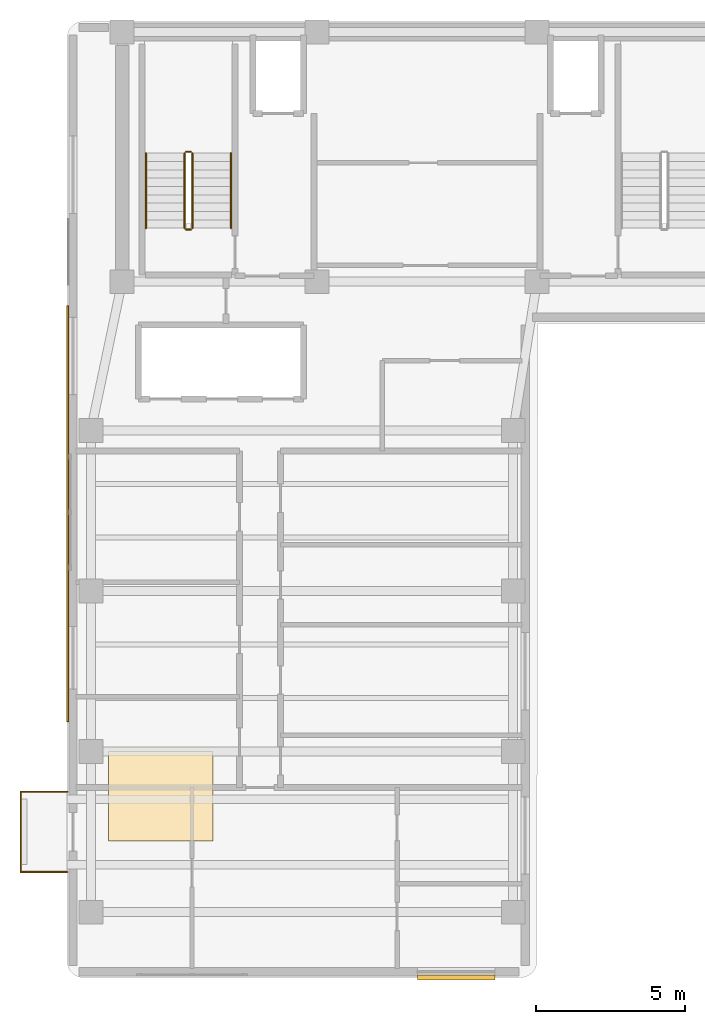
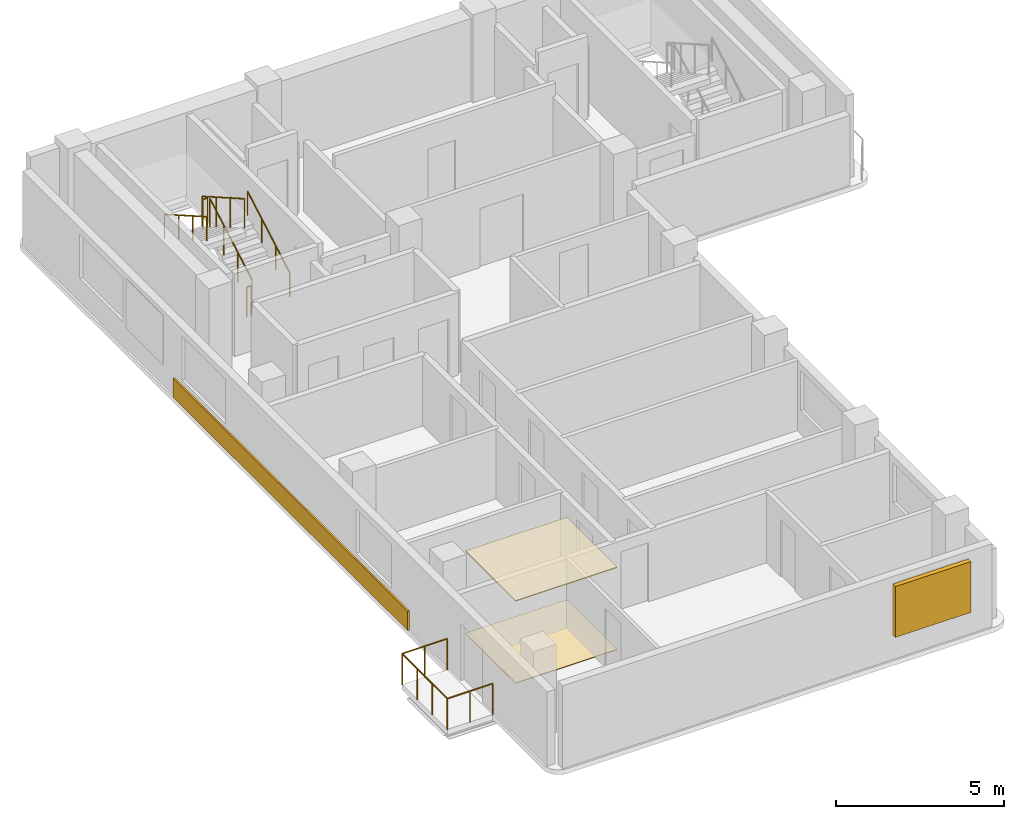
# One storey, part 10 of 11: 9 railings, 3 coverings, 1 shading device.
"""IFC4 building model written with IfcOpenShell, lengths in metres."""

from ifc_helpers import new_model, si_unit, direction, frame, origin, origin_2d, place, context, subcontext, project, spatial, polyline, rectangle, circle, outline, extrude, material, layer, layer_set, type_object, element, save


model = new_model("IFC4")

# Units and contexts
model_context = context("Model", 3, precision=1e-05, world=origin(), true_north=direction((0.0, 1.0)))
body_context = subcontext(model_context, "Body", "Model", "MODEL_VIEW")
ifc_project = project(units=[si_unit("LENGTHUNIT", "METRE"), si_unit("AREAUNIT", "SQUARE_METRE"), si_unit("VOLUMEUNIT", "CUBIC_METRE"), si_unit("PLANEANGLEUNIT", "RADIAN"), si_unit("MASSUNIT", "GRAM", prefix="KILO")], contexts=[model_context])

# Site, building, storey
site_placement = place(None, origin())
site = spatial("IfcSite", under=ifc_project, at=site_placement, CompositionType="ELEMENT")
building_placement = place(site_placement, origin())
building = spatial("IfcBuilding", under=site, at=building_placement, Name="Kuzgunbayir Cultural Tower", CompositionType="ELEMENT")
storey_placement = place(building_placement, frame((0.0, 0.0, 234.39990234375)))
storey = spatial("IfcBuildingStorey", under=building, at=storey_placement, Name="L69", CompositionType="ELEMENT", Elevation=234.39990234375)

# Coverings
ifc_material_1 = material(Name="Perforated Gypsum Acoustic Tile", Category="gypsum")
ifc_layer_1 = layer(ifc_material_1, 0.02490234375)
ifc_layer_set_1 = layer_set([ifc_layer_1], Name="Perforated Gypsum Acoustic Tile")
covering_type_1 = type_object("IfcCoveringType", Name="COV-CEIL-ACOUSTIC", PredefinedType="CEILING", material=ifc_layer_set_1)
covering_1_placement = place(storey_placement, frame((0.0, 0.0, 2.989990234375)))
element("IfcCovering", 1, at=covering_1_placement, inside=storey, type_object=covering_type_1, Name="L69 Acoustic Soffit Ceiling", PredefinedType="CEILING", context=body_context, shape_type="SweptSolid", body=[
    extrude(outline(polyline([(6.0, 15.0), (9.5, 15.0), (9.5, 18.0), (6.0, 18.0), (6.0, 15.0)])), origin(), (0.0, 0.0, 1.0), 0.030029296875),
])
ifc_material_2 = material(Name="Anatolian Cream Limestone", Category="masonry")
ifc_layer_2 = layer(ifc_material_2, 0.06005859375)
ifc_layer_set_2 = layer_set([ifc_layer_2], Name="Anatolian Cream Limestone")
covering_type_2 = type_object("IfcCoveringType", Name="COV-CLAD-LIMESTONE-6", PredefinedType="CLADDING", material=ifc_layer_set_2)
covering_2_placement = place(storey_placement, frame((4.6201171875, 26.0, 0.0), z_axis=(0.0, 0.0, 1.0), x_axis=(1.0, 0.0, 0.0)))
element("IfcCovering", 2, at=covering_2_placement, inside=storey, type_object=covering_type_2, Name="L69 Architectural Spandrel Cladding Band", PredefinedType="CLADDING", context=body_context, shape_type="SweptSolid", body=[
    extrude(rectangle(XDim=0.06005859375, YDim=14.0, at=origin_2d()), origin(), (0.0, 0.0, 1.0), 0.699951171875),
])
ifc_material_3 = material(Name="Engineered Anatolian Oak Parquet", Category="wood")
ifc_layer_3 = layer(ifc_material_3, 0.02197265625)
ifc_layer_set_3 = layer_set([ifc_layer_3], Name="Engineered Anatolian Oak Parquet")
covering_type_3 = type_object("IfcCoveringType", Name="COV-FLOOR-OAK", PredefinedType="FLOORING", material=ifc_layer_set_3)
covering_3_placement = place(storey_placement, origin())
element("IfcCovering", 3, at=covering_3_placement, inside=storey, type_object=covering_type_3, Name="L69 Acoustic Floor Finish", PredefinedType="FLOORING", context=body_context, shape_type="SweptSolid", body=[
    extrude(outline(polyline([(6.0, 15.0), (9.5, 15.0), (9.5, 18.0), (6.0, 18.0), (6.0, 15.0)])), origin(), (0.0, 0.0, 1.0), 0.02001953125),
])

# Railings
ifc_material_4 = material(Name="Laminated Glass and Stainless Steel", Category="steel")
ifc_layer_4 = layer(ifc_material_4, 0.080078125)
ifc_layer_set_4 = layer_set([ifc_layer_4], Name="Laminated Glass and Stainless Steel")
railing_type_1 = type_object("IfcRailingType", Name="RLG-BAL-115", PredefinedType="BALUSTRADE", material=ifc_layer_set_4)
railing_1_placement = place(storey_placement, frame((4.60009765625, 13.949951171875, 0.0)))
element("IfcRailing", 4, at=railing_1_placement, inside=storey, type_object=railing_type_1, Name="L69 Balcony Guard BAL-L69-WA1 Segment 1", PredefinedType="BALUSTRADE", context=body_context, shape_type="SweptSolid", body=[
    extrude(circle(Radius=0.02392578125, at=origin_2d()), frame((0.0, 0.0, 1.1259765625), z_axis=(-1.0, 0.0, 0.0), x_axis=(0.0, -1.0, 0.0)), (0.0, 0.0, 1.0), 1.56005859375),
    extrude(circle(Radius=0.02099609375, at=origin_2d()), origin(), (0.0, 0.0, 1.0), 1.101806640625),
    extrude(circle(Radius=0.02099609375, at=origin_2d()), frame((-0.780029296875, 0.0, 0.0)), (0.0, 0.0, 1.0), 1.101806640625),
    extrude(circle(Radius=0.02099609375, at=origin_2d()), frame((-1.56005859375, 0.0, 0.0)), (0.0, 0.0, 1.0), 1.101806640625),
])
railing_2_placement = place(storey_placement, frame((3.0400390625, 13.949951171875, 0.0)))
element("IfcRailing", 5, at=railing_2_placement, inside=storey, type_object=railing_type_1, Name="L69 Balcony Guard BAL-L69-WA1 Segment 2", PredefinedType="BALUSTRADE", context=body_context, shape_type="SweptSolid", body=[
    extrude(circle(Radius=0.02392578125, at=origin_2d()), frame((0.0, 0.0, 1.1259765625), z_axis=(0.0, 1.0, 0.0), x_axis=(-1.0, 0.0, 0.0)), (0.0, 0.0, 1.0), 2.699951171875),
    extrude(circle(Radius=0.02099609375, at=origin_2d()), origin(), (0.0, 0.0, 1.0), 1.101806640625),
    extrude(circle(Radius=0.02099609375, at=origin_2d()), frame((0.0, 0.89990234375, 0.0)), (0.0, 0.0, 1.0), 1.101806640625),
    extrude(circle(Radius=0.02099609375, at=origin_2d()), frame((0.0, 1.800048828125, 0.0)), (0.0, 0.0, 1.0), 1.101806640625),
    extrude(circle(Radius=0.02099609375, at=origin_2d()), frame((0.0, 2.699951171875, 0.0)), (0.0, 0.0, 1.0), 1.101806640625),
])
railing_3_placement = place(storey_placement, frame((3.0400390625, 16.64990234375, 0.0)))
element("IfcRailing", 6, at=railing_3_placement, inside=storey, type_object=railing_type_1, Name="L69 Balcony Guard BAL-L69-WA1 Segment 3", PredefinedType="BALUSTRADE", context=body_context, shape_type="SweptSolid", body=[
    extrude(circle(Radius=0.02392578125, at=origin_2d()), frame((0.0, 0.0, 1.1259765625), z_axis=(1.0, 0.0, 0.0), x_axis=(0.0, 1.0, 0.0)), (0.0, 0.0, 1.0), 1.56005859375),
    extrude(circle(Radius=0.02099609375, at=origin_2d()), origin(), (0.0, 0.0, 1.0), 1.101806640625),
    extrude(circle(Radius=0.02099609375, at=origin_2d()), frame((0.780029296875, 0.0, 0.0)), (0.0, 0.0, 1.0), 1.101806640625),
    extrude(circle(Radius=0.02099609375, at=origin_2d()), frame((1.56005859375, 0.0, 0.0)), (0.0, 0.0, 1.0), 1.101806640625),
])
ifc_material_5 = material(Name="Brushed Stainless Steel", Category="steel")
ifc_layer_5 = layer(ifc_material_5, 0.050048828125)
ifc_layer_set_5 = layer_set([ifc_layer_5], Name="Brushed Stainless Steel")
railing_type_2 = type_object("IfcRailingType", Name="RLG-STAIR-HANDRAIL", PredefinedType="HANDRAIL", material=ifc_layer_set_5)
railing_4_placement = place(storey_placement, frame((10.110107421875, 35.60009765625, 0.16015625)))
element("IfcRailing", 7, at=railing_4_placement, inside=storey, type_object=railing_type_2, Name="L69 ST-1 stair handrail 1", PredefinedType="HANDRAIL", context=body_context, shape_type="SweptSolid", body=[
    extrude(circle(Radius=0.02392578125, at=origin_2d()), frame((0.0, 0.0, 0.8759765625), z_axis=(0.0, 0.868253494771, 0.496120820787), x_axis=(-1.0, 0.0, 0.0)), (0.0, 0.0, 1.0), 2.90234375),
    extrude(circle(Radius=0.02099609375, at=origin_2d()), origin(), (0.0, 0.0, 1.0), 0.851806640625),
    extrude(circle(Radius=0.02099609375, at=origin_2d()), frame((0.0, 0.840087890625, 0.47998046875)), (0.0, 0.0, 1.0), 0.851806640625),
    extrude(circle(Radius=0.02099609375, at=origin_2d()), frame((0.0, 1.679931640625, 0.9599609375)), (0.0, 0.0, 1.0), 0.851806640625),
    extrude(circle(Radius=0.02099609375, at=origin_2d()), frame((0.0, 2.52001953125, 1.43994140625)), (0.0, 0.0, 1.0), 0.851806640625),
])
railing_5_placement = place(storey_placement, frame((7.25, 38.1201171875, 1.760009765625)))
element("IfcRailing", 8, at=railing_5_placement, inside=storey, type_object=railing_type_2, Name="L69 ST-1 stair handrail 2", PredefinedType="HANDRAIL", context=body_context, shape_type="SweptSolid", body=[
    extrude(circle(Radius=0.02392578125, at=origin_2d()), frame((0.0, 0.0, 0.8759765625), z_axis=(0.0, -0.868217259934, 0.496184229447), x_axis=(1.0, 0.0, 0.0)), (0.0, 0.0, 1.0), 2.902587890625),
    extrude(circle(Radius=0.02099609375, at=origin_2d()), origin(), (0.0, 0.0, 1.0), 0.851806640625),
    extrude(circle(Radius=0.02099609375, at=origin_2d()), frame((0.0, -0.840087890625, 0.47998046875)), (0.0, 0.0, 1.0), 0.851806640625),
    extrude(circle(Radius=0.02099609375, at=origin_2d()), frame((0.0, -1.679931640625, 0.960205078125)), (0.0, 0.0, 1.0), 0.851806640625),
    extrude(circle(Radius=0.02099609375, at=origin_2d()), frame((0.0, -2.52001953125, 1.440185546875)), (0.0, 0.0, 1.0), 0.851806640625),
])
ifc_material_6 = material(Name="Painted Steel Balustrade", Category="steel")
ifc_layer_6 = layer(ifc_material_6, 0.06005859375)
ifc_layer_set_6 = layer_set([ifc_layer_6], Name="Painted Steel Balustrade")
railing_type_3 = type_object("IfcRailingType", Name="RLG-WELL-GUARD", PredefinedType="GUARDRAIL", material=ifc_layer_set_6)
railing_6_placement = place(storey_placement, frame((8.81005859375, 35.60009765625, 0.16015625)))
element("IfcRailing", 9, at=railing_6_placement, inside=storey, type_object=railing_type_3, Name="L69 ST-1 stair guard 1", PredefinedType="GUARDRAIL", context=body_context, shape_type="SweptSolid", body=[
    extrude(circle(Radius=0.02392578125, at=origin_2d()), frame((0.0, 0.0, 1.076171875), z_axis=(0.0, 0.868253494771, 0.496120820787), x_axis=(-1.0, 0.0, 0.0)), (0.0, 0.0, 1.0), 2.90234375),
    extrude(circle(Radius=0.02099609375, at=origin_2d()), origin(), (0.0, 0.0, 1.0), 1.052001953125),
    extrude(circle(Radius=0.02099609375, at=origin_2d()), frame((0.0, 0.840087890625, 0.47998046875)), (0.0, 0.0, 1.0), 1.052001953125),
    extrude(circle(Radius=0.02099609375, at=origin_2d()), frame((0.0, 1.679931640625, 0.9599609375)), (0.0, 0.0, 1.0), 1.052001953125),
    extrude(circle(Radius=0.02099609375, at=origin_2d()), frame((0.0, 2.52001953125, 1.43994140625)), (0.0, 0.0, 1.0), 1.052001953125),
])
railing_7_placement = place(storey_placement, frame((8.760009765625, 38.169921875, 1.60009765625)))
element("IfcRailing", 10, at=railing_7_placement, inside=storey, type_object=railing_type_3, Name="L69 ST-1 stair guard 2", PredefinedType="GUARDRAIL", context=body_context, shape_type="SweptSolid", body=[
    extrude(circle(Radius=0.02392578125, at=origin_2d()), frame((0.0, 0.0, 1.076171875), z_axis=(-1.0, 0.0, 0.0), x_axis=(0.0, -1.0, 0.0)), (0.0, 0.0, 1.0), 0.159912109375),
    extrude(circle(Radius=0.02099609375, at=origin_2d()), origin(), (0.0, 0.0, 1.0), 1.052001953125),
    extrude(circle(Radius=0.02099609375, at=origin_2d()), frame((-0.159912109375, 0.0, 0.0)), (0.0, 0.0, 1.0), 1.052001953125),
])
railing_8_placement = place(storey_placement, frame((8.550048828125, 38.1201171875, 1.760009765625)))
element("IfcRailing", 11, at=railing_8_placement, inside=storey, type_object=railing_type_3, Name="L69 ST-1 stair guard 3", PredefinedType="GUARDRAIL", context=body_context, shape_type="SweptSolid", body=[
    extrude(circle(Radius=0.02392578125, at=origin_2d()), frame((0.0, 0.0, 1.076171875), z_axis=(0.0, -0.868217259934, 0.496184229447), x_axis=(1.0, 0.0, 0.0)), (0.0, 0.0, 1.0), 2.902587890625),
    extrude(circle(Radius=0.02099609375, at=origin_2d()), origin(), (0.0, 0.0, 1.0), 1.052001953125),
    extrude(circle(Radius=0.02099609375, at=origin_2d()), frame((0.0, -0.840087890625, 0.47998046875)), (0.0, 0.0, 1.0), 1.052001953125),
    extrude(circle(Radius=0.02099609375, at=origin_2d()), frame((0.0, -1.679931640625, 0.960205078125)), (0.0, 0.0, 1.0), 1.052001953125),
    extrude(circle(Radius=0.02099609375, at=origin_2d()), frame((0.0, -2.52001953125, 1.440185546875)), (0.0, 0.0, 1.0), 1.052001953125),
])
railing_9_placement = place(storey_placement, frame((8.760009765625, 35.550048828125, 0.0)))
element("IfcRailing", 12, at=railing_9_placement, inside=storey, type_object=railing_type_3, Name="L69 ST-1 stair guard 4", PredefinedType="GUARDRAIL", context=body_context, shape_type="SweptSolid", body=[
    extrude(circle(Radius=0.02392578125, at=origin_2d()), frame((0.0, 0.0, 1.076171875), z_axis=(-1.0, 0.0, 0.0), x_axis=(0.0, -1.0, 0.0)), (0.0, 0.0, 1.0), 0.159912109375),
    extrude(circle(Radius=0.02099609375, at=origin_2d()), origin(), (0.0, 0.0, 1.0), 1.052001953125),
    extrude(circle(Radius=0.02099609375, at=origin_2d()), frame((-0.159912109375, 0.0, 0.0)), (0.0, 0.0, 1.0), 1.052001953125),
])

# Shading device
ifc_material_7 = material(Name="Warm Terracotta Ceramic Baguette", Category="masonry")
shading_device_type = type_object("IfcShadingDeviceType", Name="SHD-SOLAR-CERAMIC", PredefinedType="SHUTTER", material=ifc_material_7)
shading_device_placement = place(storey_placement, frame((17.679931640625, 10.39990234375, 0.885009765625), z_axis=(0.0, 0.0, 1.0), x_axis=(1.0, 0.0, 0.0)))
element("IfcShadingDevice", 13, at=shading_device_placement, inside=storey, type_object=shading_device_type, Name="L69 Solar Screen WAS1", PredefinedType="SHUTTER", context=body_context, shape_type="SweptSolid", body=[
    extrude(rectangle(XDim=2.60009765625, YDim=0.159912109375, at=origin_2d()), origin(), (0.0, 0.0, 1.0), 1.85009765625),
])

save(model, "model.ifc")
